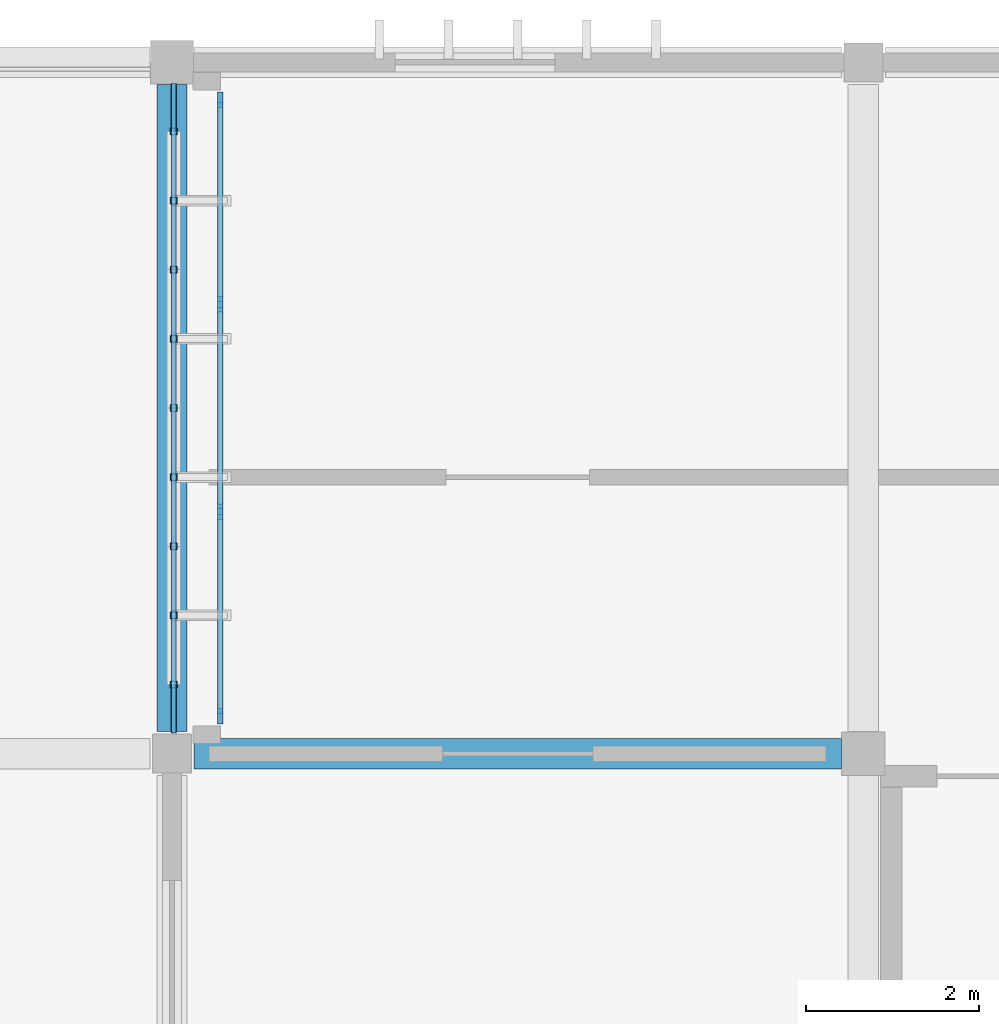
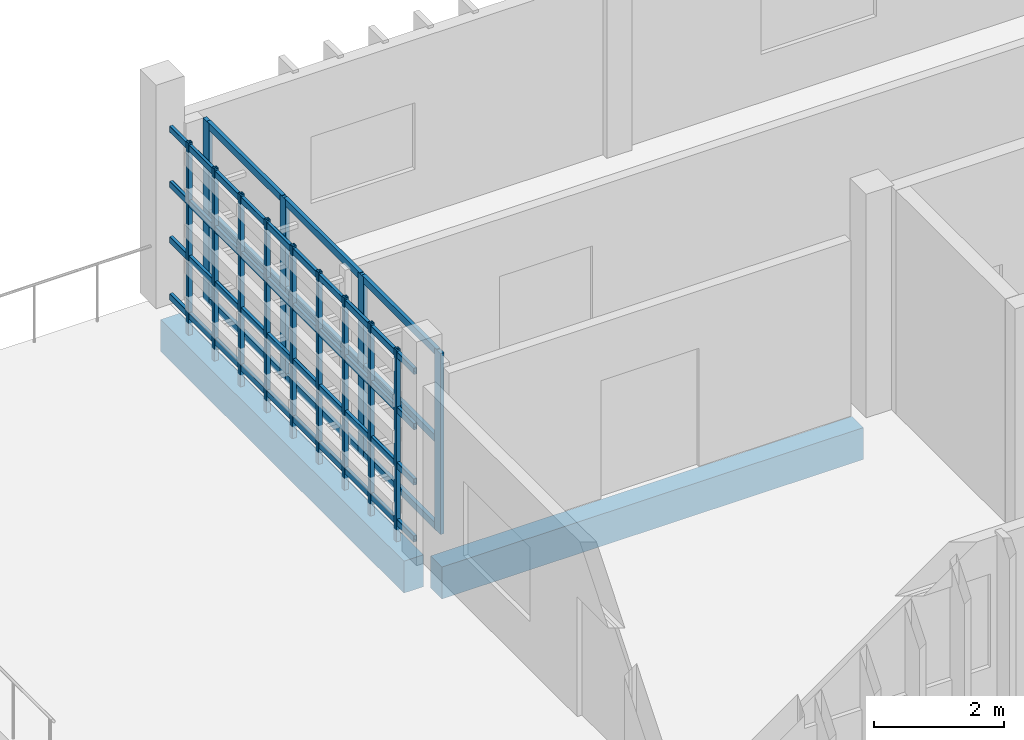
# One storey, part 3 of 16: 26 members, 2 beams, 1 element without a shape of its own.
"""IFC4 building model written with IfcOpenShell, lengths in metres."""

from ifc_helpers import new_model, si_unit, direction, frame, origin, origin_2d, place, context, subcontext, project, spatial, rectangle, hollow_rectangle, extrude, material, layer, layer_set, material_profile, profile_set, type_object, element, aggregate, save


model = new_model("IFC4")

# Units and contexts
model_context = context("Model", 3, precision=1e-05, world=origin(), true_north=direction((0.0, 1.0)))
body_context = subcontext(model_context, "Body", "Model", "MODEL_VIEW")
ifc_project = project(units=[si_unit("LENGTHUNIT", "METRE"), si_unit("AREAUNIT", "SQUARE_METRE"), si_unit("VOLUMEUNIT", "CUBIC_METRE"), si_unit("PLANEANGLEUNIT", "RADIAN"), si_unit("MASSUNIT", "GRAM", prefix="KILO")], contexts=[model_context])

# Site, building, storey
site_placement = place(None, origin())
site = spatial("IfcSite", under=ifc_project, at=site_placement, CompositionType="ELEMENT")
building_placement = place(site_placement, origin())
building = spatial("IfcBuilding", under=site, at=building_placement, Name="Jelvoka-Kovrelna Polytechnic", CompositionType="ELEMENT")
storey_placement = place(building_placement, frame((0.0, 0.0, 30.60009765625)))
storey = spatial("IfcBuildingStorey", under=building, at=storey_placement, Name="L08", CompositionType="ELEMENT", Elevation=30.60009765625)

# Beams
ifc_material_1 = material(Name="Concrete C35/45", Category="concrete")
ifc_material_profile_1 = material_profile(ifc_material_1, rectangle(XDim=0.35009765625, YDim=0.60009765625, at=origin_2d()), Name="RC 350x600")
ifc_profile_set_1 = profile_set([ifc_material_profile_1], Name="Concrete C35/45")
beam_type = type_object("IfcBeamType", Name="Beam_RC_350x600", PredefinedType="BEAM", material=ifc_profile_set_1)
for number, where, z_axis, x_axis, name in (
    (1, (72.2548828125, 64.0, -0.525146484375), (1.0, 0.0, 0.0), (0.0, 1.0, 0.0), "L08 beam 1918"),
    (2, (72.0, 64.2548828125, -0.525146484375), (0.0, 1.0, 0.0), (-1.0, 0.0, 0.0), "L08 beam 1928"),
):
    element("IfcBeam", number, at=place(storey_placement, frame(where, z_axis=z_axis, x_axis=x_axis)), inside=storey, type_object=beam_type, Name=name, PredefinedType="BEAM", context=body_context, shape_type="SweptSolid", body=[
        extrude(rectangle(XDim=0.35009765625, YDim=0.60009765625, at=origin_2d()), origin(), (0.0, 0.0, 1.0), 7.490234375),
    ])

# Members
ifc_material_2 = material(Name="Structural steel S355J2H", Category="steel")
ifc_material_profile_2 = material_profile(ifc_material_2, hollow_rectangle(XDim=0.06005859375, YDim=0.1201171875, WallThickness=0.0048828125, InnerFilletRadius=0.0048828125, OuterFilletRadius=0.007568359375, at=origin_2d()), Name="120x60x5.0 RHS")
ifc_profile_set_2 = profile_set([ifc_material_profile_2], Name="Structural steel S355J2H")
member_type_1 = type_object("IfcMemberType", Name="Member_Strut_RHS120", PredefinedType="STRUT", material=ifc_profile_set_2)
for number, where, z_axis, x_axis, name in (
    (3, (72.02001953125, 64.239990234375, 0.139892578125), (0.0, 1.0, 0.0), (-1.0, 0.0, 0.0), "L08 terracotta screen horizontal strut 0833"),
    (4, (72.02001953125, 64.239990234375, 1.2109375), (0.0, 1.0, 0.0), (-1.0, 0.0, 0.0), "L08 terracotta screen horizontal strut 0834"),
    (5, (72.02001953125, 64.239990234375, 2.25048828125), (0.0, 1.0, 0.0), (-1.0, 0.0, 0.0), "L08 terracotta screen horizontal strut 0835"),
    (6, (72.02001953125, 64.239990234375, 3.289794921875), (0.0, 1.0, 0.0), (-1.0, 0.0, 0.0), "L08 terracotta screen horizontal strut 0836"),
):
    element("IfcMember", number, at=place(storey_placement, frame(where, z_axis=z_axis, x_axis=x_axis)), inside=storey, type_object=member_type_1, Name=name, PredefinedType="STRUT", context=body_context, shape_type="SweptSolid", body=[
        extrude(hollow_rectangle(XDim=0.06005859375, YDim=0.1201171875, WallThickness=0.0048828125, InnerFilletRadius=0.0048828125, OuterFilletRadius=0.007568359375, at=origin_2d()), origin(), (0.0, 0.0, 1.0), 7.52001953125),
    ])
ifc_material_3 = material(Name="Structural steel S355J2H", Category="steel")
ifc_material_profile_3 = material_profile(ifc_material_3, hollow_rectangle(XDim=0.080078125, YDim=0.080078125, WallThickness=0.0048828125, InnerFilletRadius=0.0048828125, OuterFilletRadius=0.007568359375, at=origin_2d()), Name="80x80x5.0 SHS")
ifc_profile_set_3 = profile_set([ifc_material_profile_3], Name="Structural steel S355J2H")
member_type_2 = type_object("IfcMemberType", Name="Member_Strut_SHS80", PredefinedType="STRUT", material=ifc_profile_set_3)
for number, where, z_axis, x_axis, name in (
    (7, (72.02001953125, 64.800048828125, -0.22998046875), (0.0, 0.0, 1.0), (1.0, 0.0, 0.0), "L08 terracotta lattice vertical rib 0837"),
    (8, (72.02001953125, 65.60009765625, -0.22998046875), (0.0, 0.0, 1.0), (1.0, 0.0, 0.0), "L08 terracotta lattice vertical rib 0838"),
    (9, (72.02001953125, 66.39990234375, -0.22998046875), (0.0, 0.0, 1.0), (1.0, 0.0, 0.0), "L08 terracotta lattice vertical rib 0839"),
    (10, (72.02001953125, 67.199951171875, -0.22998046875), (0.0, 0.0, 1.0), (1.0, 0.0, 0.0), "L08 terracotta lattice vertical rib 0840"),
    (11, (72.02001953125, 68.0, -0.22998046875), (0.0, 0.0, 1.0), (1.0, 0.0, 0.0), "L08 terracotta lattice vertical rib 0841"),
    (12, (72.02001953125, 68.800048828125, -0.22998046875), (0.0, 0.0, 1.0), (1.0, 0.0, 0.0), "L08 terracotta lattice vertical rib 0842"),
    (13, (72.02001953125, 69.60009765625, -0.22998046875), (0.0, 0.0, 1.0), (1.0, 0.0, 0.0), "L08 terracotta lattice vertical rib 0843"),
    (14, (72.02001953125, 70.39990234375, -0.22998046875), (0.0, 0.0, 1.0), (1.0, 0.0, 0.0), "L08 terracotta lattice vertical rib 0844"),
    (15, (72.02001953125, 71.199951171875, -0.22998046875), (0.0, 0.0, 1.0), (1.0, 0.0, 0.0), "L08 terracotta lattice vertical rib 0845"),
):
    element("IfcMember", number, at=place(storey_placement, frame(where, z_axis=z_axis, x_axis=x_axis)), inside=storey, type_object=member_type_2, Name=name, PredefinedType="STRUT", context=body_context, shape_type="SweptSolid", body=[
        extrude(hollow_rectangle(XDim=0.080078125, YDim=0.080078125, WallThickness=0.0048828125, InnerFilletRadius=0.0048828125, OuterFilletRadius=0.007568359375, at=origin_2d()), origin(), (0.0, 0.0, 1.0), 3.60986328125),
    ])

# Curtain wall, members
ifc_material_4 = material(Name="Anodised aluminium 6063-T6", Category="aluminium")
ifc_layer = layer(ifc_material_4, 0.179931640625)
ifc_layer_set = layer_set([ifc_layer], Name="Anodised aluminium 6063-T6")
curtain_wall_type = type_object("IfcCurtainWallType", Name="CW_Recessed_B", PredefinedType="NOTDEFINED", material=ifc_layer_set)
curtain_wall_placement = place(storey_placement, origin())
curtain_wall = element("IfcCurtainWall", 16, at=curtain_wall_placement, inside=storey, type_object=curtain_wall_type, Name="L08 glazed curtain wall 097", PredefinedType="NOTDEFINED")
ifc_material_5 = material(Name="Anodised aluminium 6063-T6", Category="aluminium")
ifc_material_profile_4 = material_profile(ifc_material_5, rectangle(XDim=0.06494140625, YDim=0.179931640625, at=origin_2d()), Name="ALU 65x180")
ifc_profile_set_4 = profile_set([ifc_material_profile_4], Name="Anodised aluminium 6063-T6")
member_type_3 = type_object("IfcMemberType", Name="Mullion_M-02", PredefinedType="MULLION", material=ifc_profile_set_4)
member_1_placement = place(storey_placement, frame((72.56005859375, 64.4326171875, -0.02490234375), z_axis=(0.0, 0.0, 1.0), x_axis=(-1.0, 0.0, 0.0)))
member_1 = element("IfcMember", 17, at=member_1_placement, type_object=member_type_3, Name="CW-02 mullion 1", PredefinedType="MULLION", context=body_context, shape_type="SweptSolid", body=[
    extrude(rectangle(XDim=0.06494140625, YDim=0.179931640625, at=origin_2d()), origin(), (0.0, 0.0, 1.0), 3.39990234375),
])
member_2_placement = place(storey_placement, frame((72.56005859375, 66.800048828125, -0.02490234375), z_axis=(0.0, 0.0, 1.0), x_axis=(-1.0, 0.0, 0.0)))
member_2 = element("IfcMember", 18, at=member_2_placement, type_object=member_type_3, Name="CW-02 mullion 2", PredefinedType="MULLION", context=body_context, shape_type="SweptSolid", body=[
    extrude(rectangle(XDim=0.06494140625, YDim=0.179931640625, at=origin_2d()), origin(), (0.0, 0.0, 1.0), 3.39990234375),
])
member_3_placement = place(storey_placement, frame((72.56005859375, 69.199951171875, -0.02490234375), z_axis=(0.0, 0.0, 1.0), x_axis=(-1.0, 0.0, 0.0)))
member_3 = element("IfcMember", 19, at=member_3_placement, type_object=member_type_3, Name="CW-02 mullion 3", PredefinedType="MULLION", context=body_context, shape_type="SweptSolid", body=[
    extrude(rectangle(XDim=0.06494140625, YDim=0.179931640625, at=origin_2d()), origin(), (0.0, 0.0, 1.0), 3.39990234375),
])
member_4_placement = place(storey_placement, frame((72.56005859375, 71.5673828125, -0.02490234375), z_axis=(0.0, 0.0, 1.0), x_axis=(-1.0, 0.0, 0.0)))
member_4 = element("IfcMember", 20, at=member_4_placement, type_object=member_type_3, Name="CW-02 mullion 4", PredefinedType="MULLION", context=body_context, shape_type="SweptSolid", body=[
    extrude(rectangle(XDim=0.06494140625, YDim=0.179931640625, at=origin_2d()), origin(), (0.0, 0.0, 1.0), 3.39990234375),
])
ifc_material_6 = material(Name="Anodised aluminium 6063-T6", Category="aluminium")
ifc_material_profile_5 = material_profile(ifc_material_6, rectangle(XDim=0.06494140625, YDim=0.135009765625, at=origin_2d()), Name="ALU 65x135")
ifc_profile_set_5 = profile_set([ifc_material_profile_5], Name="Anodised aluminium 6063-T6")
member_type_4 = type_object("IfcMemberType", Name="Transom_T-02", PredefinedType="USERDEFINED", material=ifc_profile_set_5)
member_5_placement = place(storey_placement, frame((72.56005859375, 64.465087890625, 0.032470703125), z_axis=(0.0, 1.0, 0.0), x_axis=(-1.0, 0.0, 0.0)))
member_5 = element("IfcMember", 21, at=member_5_placement, type_object=member_type_4, Name="CW-02 transom 1.1", ObjectType="TRANSOM", PredefinedType="USERDEFINED", context=body_context, shape_type="SweptSolid", body=[
    extrude(rectangle(XDim=0.06494140625, YDim=0.135009765625, at=origin_2d()), origin(), (0.0, 0.0, 1.0), 2.302490234375),
])
member_6_placement = place(storey_placement, frame((72.56005859375, 64.465087890625, 1.6748046875), z_axis=(0.0, 1.0, 0.0), x_axis=(-1.0, 0.0, 0.0)))
member_6 = element("IfcMember", 22, at=member_6_placement, type_object=member_type_4, Name="CW-02 transom 1.2", ObjectType="TRANSOM", PredefinedType="USERDEFINED", context=body_context, shape_type="SweptSolid", body=[
    extrude(rectangle(XDim=0.06494140625, YDim=0.135009765625, at=origin_2d()), origin(), (0.0, 0.0, 1.0), 2.302490234375),
])
member_7_placement = place(storey_placement, frame((72.56005859375, 64.465087890625, 3.3173828125), z_axis=(0.0, 1.0, 0.0), x_axis=(-1.0, 0.0, 0.0)))
member_7 = element("IfcMember", 23, at=member_7_placement, type_object=member_type_4, Name="CW-02 transom 1.3", ObjectType="TRANSOM", PredefinedType="USERDEFINED", context=body_context, shape_type="SweptSolid", body=[
    extrude(rectangle(XDim=0.06494140625, YDim=0.135009765625, at=origin_2d()), origin(), (0.0, 0.0, 1.0), 2.302490234375),
])
member_8_placement = place(storey_placement, frame((72.56005859375, 66.83251953125, 0.032470703125), z_axis=(0.0, 1.0, 0.0), x_axis=(-1.0, 0.0, 0.0)))
member_8 = element("IfcMember", 24, at=member_8_placement, type_object=member_type_4, Name="CW-02 transom 2.1", ObjectType="TRANSOM", PredefinedType="USERDEFINED", context=body_context, shape_type="SweptSolid", body=[
    extrude(rectangle(XDim=0.06494140625, YDim=0.135009765625, at=origin_2d()), origin(), (0.0, 0.0, 1.0), 2.3349609375),
])
member_9_placement = place(storey_placement, frame((72.56005859375, 66.83251953125, 1.6748046875), z_axis=(0.0, 1.0, 0.0), x_axis=(-1.0, 0.0, 0.0)))
member_9 = element("IfcMember", 25, at=member_9_placement, type_object=member_type_4, Name="CW-02 transom 2.2", ObjectType="TRANSOM", PredefinedType="USERDEFINED", context=body_context, shape_type="SweptSolid", body=[
    extrude(rectangle(XDim=0.06494140625, YDim=0.135009765625, at=origin_2d()), origin(), (0.0, 0.0, 1.0), 2.3349609375),
])
member_10_placement = place(storey_placement, frame((72.56005859375, 66.83251953125, 3.3173828125), z_axis=(0.0, 1.0, 0.0), x_axis=(-1.0, 0.0, 0.0)))
member_10 = element("IfcMember", 26, at=member_10_placement, type_object=member_type_4, Name="CW-02 transom 2.3", ObjectType="TRANSOM", PredefinedType="USERDEFINED", context=body_context, shape_type="SweptSolid", body=[
    extrude(rectangle(XDim=0.06494140625, YDim=0.135009765625, at=origin_2d()), origin(), (0.0, 0.0, 1.0), 2.3349609375),
])
member_11_placement = place(storey_placement, frame((72.56005859375, 69.232421875, 0.032470703125), z_axis=(0.0, 1.0, 0.0), x_axis=(-1.0, 0.0, 0.0)))
member_11 = element("IfcMember", 27, at=member_11_placement, type_object=member_type_4, Name="CW-02 transom 3.1", ObjectType="TRANSOM", PredefinedType="USERDEFINED", context=body_context, shape_type="SweptSolid", body=[
    extrude(rectangle(XDim=0.06494140625, YDim=0.135009765625, at=origin_2d()), origin(), (0.0, 0.0, 1.0), 2.302490234375),
])
member_12_placement = place(storey_placement, frame((72.56005859375, 69.232421875, 1.6748046875), z_axis=(0.0, 1.0, 0.0), x_axis=(-1.0, 0.0, 0.0)))
member_12 = element("IfcMember", 28, at=member_12_placement, type_object=member_type_4, Name="CW-02 transom 3.2", ObjectType="TRANSOM", PredefinedType="USERDEFINED", context=body_context, shape_type="SweptSolid", body=[
    extrude(rectangle(XDim=0.06494140625, YDim=0.135009765625, at=origin_2d()), origin(), (0.0, 0.0, 1.0), 2.302490234375),
])
member_13_placement = place(storey_placement, frame((72.56005859375, 69.232421875, 3.3173828125), z_axis=(0.0, 1.0, 0.0), x_axis=(-1.0, 0.0, 0.0)))
member_13 = element("IfcMember", 29, at=member_13_placement, type_object=member_type_4, Name="CW-02 transom 3.3", ObjectType="TRANSOM", PredefinedType="USERDEFINED", context=body_context, shape_type="SweptSolid", body=[
    extrude(rectangle(XDim=0.06494140625, YDim=0.135009765625, at=origin_2d()), origin(), (0.0, 0.0, 1.0), 2.302490234375),
])
aggregate(curtain_wall, [member_1, member_2, member_3, member_4, member_5, member_6, member_7, member_8, member_9, member_10, member_11, member_12, member_13])

save(model, "model.ifc")
